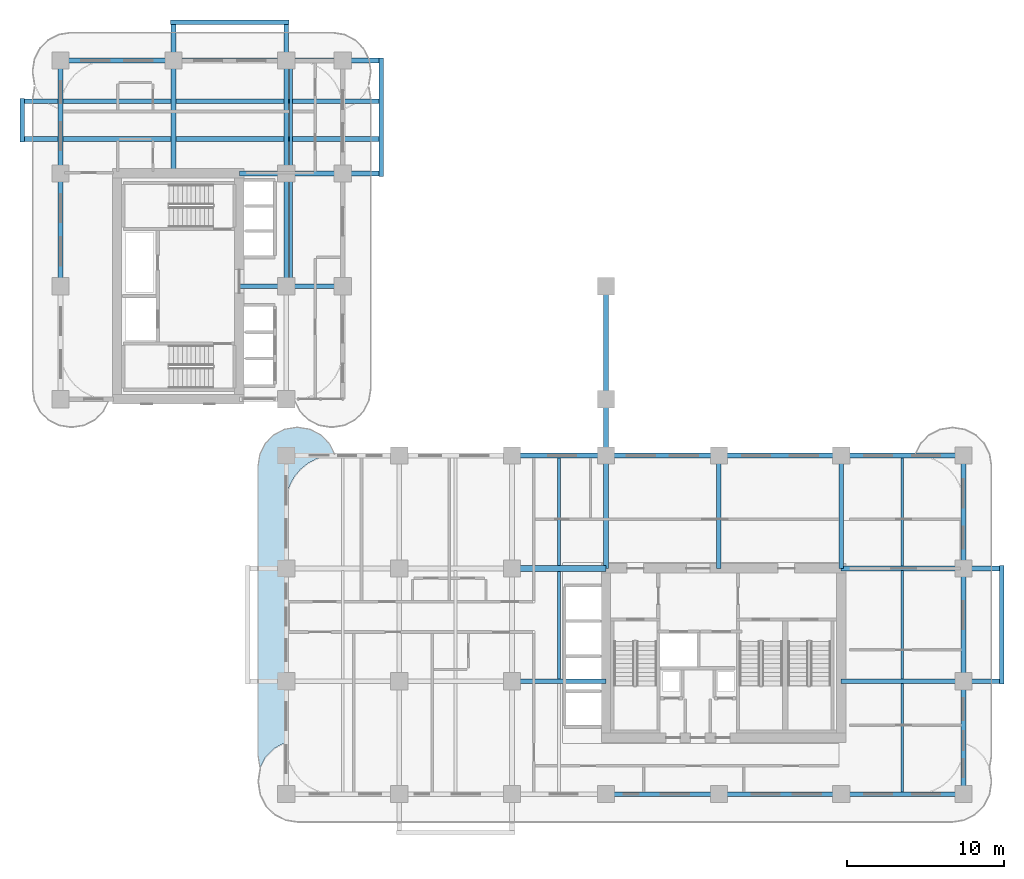
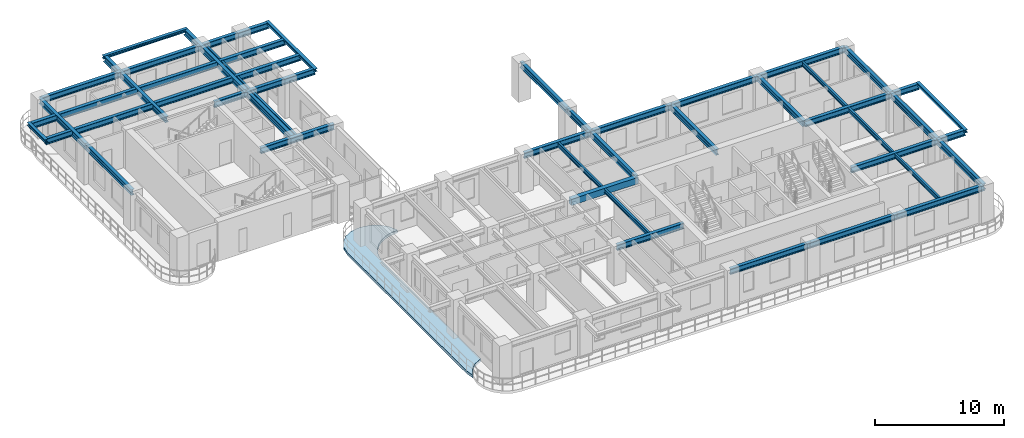
# One storey, part 3 of 18: 41 beams, 1 slab.
"""IFC4 building model written with IfcOpenShell, lengths in metres."""

import ifcopenshell
import ifcopenshell.guid

model = None  # the IFC model being written
_history = None  # IfcOwnerHistory: only IFC2X3 demands one
_inside = {}  # id of a spatial element -> (the spatial element, [elements in it])
_under = {}  # id of a project, library or spatial element -> (it, [spatial elements below it])
_declared = {}  # id of a project -> (the project, [libraries it declares])
_typed = {}  # id of a type object -> (the type object, [elements of that type])
_made_of = {}  # id of a material, layer set ... -> (it, [elements and type objects made of it])


def new_model(schema):
    """Start an empty IFC model of exactly this schema.

    Asked for "IFC4X3", IfcOpenShell would pick the latest addendum, in which some entities
    have other attributes; the version numbers below select the first issue.
    IFC2X3 requires an IfcOwnerHistory on every rooted entity: one is made here for all.
    """
    global model, _history
    if schema == "IFC4X3":
        model = ifcopenshell.file(schema_version=(4, 3, 0, 0))
    else:
        model = ifcopenshell.file(schema=schema)
    _inside.clear()
    _under.clear()
    _declared.clear()
    _typed.clear()
    _made_of.clear()
    _history = None
    if model.schema == "IFC2X3":
        org = make("IfcOrganization", Name="unknown")
        user = make(
            "IfcPersonAndOrganization",
            ThePerson=make("IfcPerson", FamilyName="unknown"),
            TheOrganization=org,
        )
        app = make(
            "IfcApplication",
            ApplicationDeveloper=org,
            Version="unknown",
            ApplicationFullName="unknown",
            ApplicationIdentifier="unknown",
        )
        _history = make(
            "IfcOwnerHistory",
            OwningUser=user,
            OwningApplication=app,
            ChangeAction="ADDED",
            CreationDate=0,
        )
    return model


def make(cls, **values):
    """One entity of the class cls with the attributes given. An attribute that is None is left unset."""
    return model.create_entity(
        cls, **{name: value for name, value in values.items() if value is not None}
    )


def rooted(cls, **values):
    """An entity with a GlobalId (a new one), such as an element, a storey or a relation."""
    return make(cls, GlobalId=ifcopenshell.guid.new(), OwnerHistory=_history, **values)


def si_unit(unit_type, name, prefix=None):
    """IfcSIUnit, for example si_unit("LENGTHUNIT", "METRE", prefix="MILLI")."""
    return make("IfcSIUnit", UnitType=unit_type, Prefix=prefix, Name=name)


def derived_unit(unit_type, elements):
    """IfcDerivedUnit: a product of units, each with its exponent."""
    return make(
        "IfcDerivedUnit",
        Elements=[
            make("IfcDerivedUnitElement", Unit=unit, Exponent=power)
            for unit, power in elements
        ],
        UnitType=unit_type,
    )


def assignment(units):
    """IfcUnitAssignment: the units of a project."""
    return None if units is None else make("IfcUnitAssignment", Units=units)


def point(xyz):
    """IfcCartesianPoint."""
    return None if xyz is None else make("IfcCartesianPoint", Coordinates=xyz)


def direction(xyz):
    """IfcDirection."""
    return None if xyz is None else make("IfcDirection", DirectionRatios=xyz)


def frame(location, z_axis=None, x_axis=None):
    """IfcAxis2Placement3D, a coordinate frame: its origin and axes. An axis left out is left unset."""
    return make(
        "IfcAxis2Placement3D",
        Location=point(location),
        Axis=direction(z_axis),
        RefDirection=direction(x_axis),
    )


def frame_2d(location, x_axis=None):
    """IfcAxis2Placement2D, a coordinate frame in the plane: its origin and x axis."""
    return make(
        "IfcAxis2Placement2D", Location=point(location), RefDirection=direction(x_axis)
    )


def origin():
    """The frame at (0, 0, 0) with its axes left unset."""
    return frame((0.0, 0.0, 0.0))


def origin_2d():
    """The frame at (0, 0) in the plane with its x axis left unset."""
    return frame_2d((0.0, 0.0))


def place(relative_to, where):
    """IfcLocalPlacement: puts the frame where relative to a parent placement (None: the world)."""
    return make(
        "IfcLocalPlacement", PlacementRelTo=relative_to, RelativePlacement=where
    )


def context(
    kind, dimensions, precision=None, world=None, true_north=None, identifier=None
):
    """IfcGeometricRepresentationContext, for example the 3D "Model" context."""
    return make(
        "IfcGeometricRepresentationContext",
        ContextIdentifier=identifier,
        ContextType=kind,
        CoordinateSpaceDimension=dimensions,
        Precision=precision,
        WorldCoordinateSystem=world,
        TrueNorth=true_north,
    )


def subcontext(parent, identifier, kind, view, scale=None):
    """IfcGeometricRepresentationSubContext, for example "Body" below "Model"."""
    return make(
        "IfcGeometricRepresentationSubContext",
        ContextIdentifier=identifier,
        ContextType=kind,
        ParentContext=parent,
        TargetScale=scale,
        TargetView=view,
    )


def project(units=None, contexts=None):
    """IfcProject with its units and contexts."""
    return rooted(
        "IfcProject",
        Name="project",
        RepresentationContexts=contexts,
        UnitsInContext=assignment(units),
    )


def spatial(cls, under=None, at=None, **own):
    """A site, building, storey or space (cls), placed at a placement, below another one or the project."""
    s = rooted(cls, ObjectPlacement=at, **own)
    if under is not None:
        _under.setdefault(under.id(), (under, []))[1].append(s)
    return s


def polyline(points):
    """IfcPolyline through the points."""
    return make("IfcPolyline", Points=[point(p) for p in points])


def profile(cls, at=None, kind="AREA", **sizes):
    """A parametric profile (cls). Its sizes go by their IFC names, for example OverallWidth=200.0."""
    return make(cls, ProfileType=kind, Position=at, **sizes)


def rectangle(**sizes):
    """IfcRectangleProfileDef."""
    return profile("IfcRectangleProfileDef", **sizes)


def i_section(**sizes):
    """IfcIShapeProfileDef."""
    return profile("IfcIShapeProfileDef", **sizes)


def outline(outer, holes=None, kind="AREA"):
    """IfcArbitraryClosedProfileDef: a profile drawn as a closed curve; with holes, ...WithVoids."""
    if holes is None:
        return make("IfcArbitraryClosedProfileDef", ProfileType=kind, OuterCurve=outer)
    return make(
        "IfcArbitraryProfileDefWithVoids",
        ProfileType=kind,
        OuterCurve=outer,
        InnerCurves=holes,
    )


def extrude(swept, where, along, depth):
    """IfcExtrudedAreaSolid: the profile swept, set in the frame where, extruded along a direction by depth."""
    return make(
        "IfcExtrudedAreaSolid",
        SweptArea=swept,
        Position=where,
        ExtrudedDirection=direction(along),
        Depth=depth,
    )


def shape(context_of_items, identifier, shape_type, items):
    """IfcShapeRepresentation: the items that make up one representation, for example the "Body"."""
    return make(
        "IfcShapeRepresentation",
        ContextOfItems=context_of_items,
        RepresentationIdentifier=identifier,
        RepresentationType=shape_type,
        Items=items,
    )


def source(mapping_origin, context_of_items, identifier, shape_type, items):
    """IfcRepresentationMap: a shape defined once, which mapped items show again and again."""
    return make(
        "IfcRepresentationMap",
        MappingOrigin=mapping_origin,
        MappedRepresentation=shape(context_of_items, identifier, shape_type, items),
    )


def transform(
    local_origin,
    x_axis=None,
    y_axis=None,
    z_axis=None,
    scale=None,
    scale2=None,
    scale3=None,
    uniform=True,
):
    """IfcCartesianTransformationOperator3D, or its non-uniform kind. x_axis, y_axis, z_axis: its Axis1, 2, 3."""
    if uniform:
        return make(
            "IfcCartesianTransformationOperator3D",
            Axis1=direction(x_axis),
            Axis2=direction(y_axis),
            LocalOrigin=point(local_origin),
            Scale=scale,
            Axis3=direction(z_axis),
        )
    return make(
        "IfcCartesianTransformationOperator3DnonUniform",
        Axis1=direction(x_axis),
        Axis2=direction(y_axis),
        LocalOrigin=point(local_origin),
        Scale=scale,
        Axis3=direction(z_axis),
        Scale2=scale2,
        Scale3=scale3,
    )


def mapped(mapping_source, mapping_target):
    """IfcMappedItem: shows the shape of a source again, moved by a transform."""
    return make(
        "IfcMappedItem", MappingSource=mapping_source, MappingTarget=mapping_target
    )


def material(Name=None, Category=None):
    """IfcMaterial."""
    return make("IfcMaterial", Name=Name, Category=Category)


def layer(
    of_material, thickness, ventilated=None, Name=None, Category=None, Priority=None
):
    """IfcMaterialLayer: one layer of a wall or slab, of a material (None: an air gap)."""
    return make(
        "IfcMaterialLayer",
        Material=of_material,
        LayerThickness=thickness,
        IsVentilated=ventilated,
        Name=Name,
        Category=Category,
        Priority=Priority,
    )


def layer_set(layers, Name=None):
    """IfcMaterialLayerSet."""
    return make("IfcMaterialLayerSet", MaterialLayers=layers, LayerSetName=Name)


def material_profile(
    of_material, cross_section, Name=None, Category=None, Priority=None
):
    """IfcMaterialProfile: a cross section and its material."""
    return make(
        "IfcMaterialProfile",
        Name=Name,
        Material=of_material,
        Profile=cross_section,
        Priority=Priority,
        Category=Category,
    )


def profile_set(profiles, Name=None, composite=None):
    """IfcMaterialProfileSet."""
    return make(
        "IfcMaterialProfileSet",
        Name=Name,
        MaterialProfiles=profiles,
        CompositeProfile=composite,
    )


def made_of(thing, what):
    """Note that an element or type object is made of a material, layer set ...; save() writes the relation."""
    if what is not None:
        _made_of.setdefault(what.id(), (what, []))[1].append(thing)
    return thing


def type_object(cls, material=None, **own):
    """A type object (cls), such as IfcWallType, which elements share."""
    return made_of(rooted(cls, **own), material)


def type_shapes(of_type, sources):
    """Give a type object the sources (RepresentationMaps) that its elements show as mapped items."""
    of_type.RepresentationMaps = sources


def element(
    cls,
    number,
    at=None,
    inside=None,
    cuts=None,
    type_object=None,
    material=None,
    context=None,
    identifier="Body",
    shape_type=None,
    held_by="IfcProductDefinitionShape",
    body=None,
    shapes=None,
    **own,
):
    """One element of the class cls, such as IfcWall. Its Tag is "e" and its number.

    at: its placement. inside: the storey or other place that contains it. cuts: it is an
    opening in that element (IfcRelVoidsElement). A single representation is given by context,
    identifier, shape_type and body (its items); several are given by shapes. held_by: the class
    of the entity that holds the representations. save() writes the other relations.
    """
    e = rooted(cls, Tag="e%d" % number, ObjectPlacement=at, **own)
    if body is not None:
        shapes = [shape(context, identifier, shape_type, body)]
    if shapes is not None:
        e.Representation = make(held_by, Representations=shapes)
    if inside is not None:
        _inside.setdefault(inside.id(), (inside, []))[1].append(e)
    if cuts is not None:
        rooted(
            "IfcRelVoidsElement", RelatingBuildingElement=cuts, RelatedOpeningElement=e
        )
    if type_object is not None:
        _typed.setdefault(type_object.id(), (type_object, []))[1].append(e)
    return made_of(e, material)


def aggregate(whole, parts):
    """IfcRelAggregates: a whole, such as a stair, and the parts it consists of."""
    return rooted("IfcRelAggregates", RelatingObject=whole, RelatedObjects=parts)


def save(model, path):
    """Write the relations noted so far, then the file.

    IfcRelAggregates (storeys below a building ...), IfcRelContainedInSpatialStructure (elements
    in a storey), IfcRelDefinesByType, IfcRelAssociatesMaterial and IfcRelDeclares: one each for
    every whole, place, type object, material and project.
    """
    for whole, parts in _under.values():
        aggregate(whole, parts)
    for where, things in _inside.values():
        rooted(
            "IfcRelContainedInSpatialStructure",
            RelatedElements=things,
            RelatingStructure=where,
        )
    for kind, things in _typed.values():
        rooted("IfcRelDefinesByType", RelatedObjects=things, RelatingType=kind)
    for what, things in _made_of.values():
        rooted("IfcRelAssociatesMaterial", RelatedObjects=things, RelatingMaterial=what)
    for by, libraries in _declared.values():
        rooted("IfcRelDeclares", RelatingContext=by, RelatedDefinitions=libraries)
    model.write(path)


model = new_model("IFC4")

# Units and contexts
model_context = context("Model", 3, precision=1e-05, world=origin(), true_north=direction((0.0, 1.0)))
body_context = subcontext(model_context, "Body", "Model", "MODEL_VIEW")
ifc_project = project(units=[si_unit("LENGTHUNIT", "METRE"), si_unit("AREAUNIT", "SQUARE_METRE"), si_unit("VOLUMEUNIT", "CUBIC_METRE"), si_unit("PLANEANGLEUNIT", "RADIAN"), si_unit("MASSUNIT", "GRAM", prefix="KILO"), si_unit("THERMODYNAMICTEMPERATUREUNIT", "KELVIN"), si_unit("POWERUNIT", "WATT"), derived_unit("THERMALTRANSMITTANCEUNIT", [(si_unit("POWERUNIT", "WATT"), 1), (si_unit("AREAUNIT", "SQUARE_METRE"), -1), (si_unit("THERMODYNAMICTEMPERATUREUNIT", "KELVIN"), -1)])], contexts=[model_context])

# Site, building, storey
site_placement = place(None, origin())
site = spatial("IfcSite", under=ifc_project, at=site_placement, CompositionType="ELEMENT")
building_placement = place(site_placement, origin())
building = spatial("IfcBuilding", under=site, at=building_placement, Name="Zahravan Archway Hotel and Residences", CompositionType="ELEMENT")
storey_placement = place(building_placement, frame((0.0, 0.0, 50.89990234375)))
storey = spatial("IfcBuildingStorey", under=building, at=storey_placement, Name="L11", CompositionType="ELEMENT", Elevation=50.89990234375)

# Beams
ifc_material_1 = material(Name="Structural Steel S355JR", Category="steel")
ifc_material_profile_1 = material_profile(ifc_material_1, i_section(OverallWidth=0.280029296875, OverallDepth=0.280029296875, WebThickness=0.010498046875, FlangeThickness=0.01806640625, FilletRadius=0.02392578125, at=origin_2d()), Name="HEB 280", Category="steel")
ifc_profile_set_1 = profile_set([ifc_material_profile_1], Name="Structural Steel S355JR")
beam_type_1 = type_object("IfcBeamType", Name="BM-SPN-HEB280", PredefinedType="SPANDREL", material=ifc_profile_set_1)
shared_shape_1 = source(origin(), body_context, "Body", "SweptSolid", [
    extrude(i_section(OverallWidth=0.280029296875, OverallDepth=0.280029296875, WebThickness=0.010498046875, FlangeThickness=0.01806640625, FilletRadius=0.02392578125, at=origin_2d()), origin(), (0.0, 0.0, 1.0), 7.56005859375),
])
type_shapes(beam_type_1, [shared_shape_1])
for number, where, z_axis, x_axis, name in (
    (1, (60.050048828125, 7.02001953125, 3.31005859375), (0.0, 1.0, 0.0), (-1.0, 0.0, 0.0), "L12 EA Balcony Edge Spandrel"),
    (2, (20.449951171875, 39.419921875, 3.31005859375), (0.0, 1.0, 0.0), (-1.0, 0.0, 0.0), "L12 EB Balcony Edge Spandrel"),
    (3, (7.02001953125, 49.25, 3.31005859375), (1.0, 0.0, 0.0), (0.0, 1.0, 0.0), "L12 NB Balcony Edge Spandrel"),
):
    element("IfcBeam", number, at=place(storey_placement, frame(where, z_axis=z_axis, x_axis=x_axis)), inside=storey, type_object=beam_type_1, Name=name, PredefinedType="SPANDREL", context=body_context, shape_type="MappedRepresentation", body=[
        mapped(shared_shape_1, transform((0.0, 0.0, 0.0), scale=1.0)),
    ])
shared_shape_2 = source(origin(), body_context, "Body", "SweptSolid", [
    extrude(i_section(OverallWidth=0.280029296875, OverallDepth=0.280029296875, WebThickness=0.010498046875, FlangeThickness=0.01806640625, FilletRadius=0.02392578125, at=origin_2d()), origin(), (0.0, 0.0, 1.0), 2.759765625),
])
beam_1_placement = place(storey_placement, frame((-2.449951171875, 41.6201171875, 3.31005859375), z_axis=(0.0, 1.0, 0.0), x_axis=(-1.0, 0.0, 0.0)))
element("IfcBeam", 4, at=beam_1_placement, inside=storey, type_object=beam_type_1, Name="L12 WB Balcony Edge Spandrel", PredefinedType="SPANDREL", context=body_context, shape_type="MappedRepresentation", body=[
    mapped(shared_shape_2, transform((0.0, 0.0, 0.0), scale=1.0)),
])
ifc_material_2 = material(Name="Concrete C60/75", Category="concrete")
ifc_material_profile_2 = material_profile(ifc_material_2, rectangle(XDim=0.39990234375, YDim=0.60009765625, at=origin_2d()), Name="RC-LNT-400x600", Category="concrete")
ifc_profile_set_2 = profile_set([ifc_material_profile_2], Name="Concrete C60/75")
beam_type_2 = type_object("IfcBeamType", Name="LNT-RC-400x600", PredefinedType="LINTEL", material=ifc_profile_set_2)
shared_shape_3 = source(origin(), body_context, "Body", "SweptSolid", [
    extrude(rectangle(XDim=0.39990234375, YDim=0.60009765625, at=origin_2d()), origin(), (0.0, 0.0, 1.0), 6.0),
])
type_shapes(beam_type_2, [shared_shape_3])
beam_2_placement = place(storey_placement, frame((28.800048828125, 14.39990234375, 3.150146484375), z_axis=(1.0, 0.0, 0.0), x_axis=(0.0, 1.0, 0.0)))
element("IfcBeam", 5, at=beam_2_placement, inside=storey, type_object=beam_type_2, Name="L11 Core A Coupling Lintel Beam", PredefinedType="LINTEL", context=body_context, shape_type="MappedRepresentation", body=[
    mapped(shared_shape_3, transform((0.0, 0.0, 0.0), scale=1.0)),
])
ifc_material_profile_3 = material_profile(ifc_material_1, i_section(OverallWidth=0.300048828125, OverallDepth=0.550048828125, WebThickness=0.014892578125, FlangeThickness=0.029052734375, FilletRadius=0.027099609375, at=origin_2d()), Name="HEB 550", Category="steel")
ifc_profile_set_3 = profile_set([ifc_material_profile_3], Name="Structural Steel S355JR")
beam_type_3 = type_object("IfcBeamType", Name="BM-PRI-HEB550", PredefinedType="BEAM", material=ifc_profile_set_3)
shared_shape_4 = source(origin(), body_context, "Body", "SweptSolid", [
    extrude(i_section(OverallWidth=0.300048828125, OverallDepth=0.550048828125, WebThickness=0.014892578125, FlangeThickness=0.029052734375, FilletRadius=0.027099609375, at=origin_2d()), origin(), (0.0, 0.0, 1.0), 7.2001953125),
])
type_shapes(beam_type_3, [shared_shape_4])
for number, where, z_axis, x_axis, name in (
    (6, (0.0, 32.39990234375, 3.175048828125), (0.0, 1.0, 0.0), (-1.0, 0.0, 0.0), "L11 Primary Girder NS-28"),
    (7, (14.39990234375, 32.39990234375, 3.175048828125), (0.0, 1.0, 0.0), (-1.0, 0.0, 0.0), "L11 Primary Girder NS-35"),
    (8, (34.800048828125, 14.39990234375, 3.175048828125), (0.0, 1.0, 0.0), (-1.0, 0.0, 0.0), "L11 Primary Girder NS-43"),
    (9, (42.0, 14.39990234375, 3.175048828125), (0.0, 1.0, 0.0), (-1.0, 0.0, 0.0), "L11 Primary Girder NS-46"),
    (10, (49.800048828125, 14.39990234375, 3.175048828125), (0.0, 1.0, 0.0), (-1.0, 0.0, 0.0), "L11 Primary Girder NS-47"),
    (11, (57.60009765625, 14.39990234375, 3.175048828125), (0.0, 1.0, 0.0), (-1.0, 0.0, 0.0), "L11 Primary Girder NS-50"),
):
    element("IfcBeam", number, at=place(storey_placement, frame(where, z_axis=z_axis, x_axis=x_axis)), inside=storey, type_object=beam_type_3, Name=name, PredefinedType="BEAM", context=body_context, shape_type="MappedRepresentation", body=[
        mapped(shared_shape_4, transform((0.0, 0.0, 0.0), scale=1.0)),
    ])
shared_shape_5 = source(origin(), body_context, "Body", "SweptSolid", [
    extrude(i_section(OverallWidth=0.300048828125, OverallDepth=0.550048828125, WebThickness=0.014892578125, FlangeThickness=0.029052734375, FilletRadius=0.027099609375, at=origin_2d()), origin(), (0.0, 0.0, 1.0), 7.199951171875),
])
for number, where, z_axis, x_axis, name in (
    (12, (34.800048828125, 0.0, 3.175048828125), (1.0, 0.0, 0.0), (0.0, 1.0, 0.0), "L11 Primary Girder EW-04"),
    (13, (34.800048828125, 21.60009765625, 3.175048828125), (1.0, 0.0, 0.0), (0.0, 1.0, 0.0), "L11 Primary Girder EW-17"),
    (14, (0.0, 46.800048828125, 3.175048828125), (1.0, 0.0, 0.0), (0.0, 1.0, 0.0), "L11 Primary Girder EW-23"),
    (15, (0.0, 39.60009765625, 3.175048828125), (0.0, 1.0, 0.0), (-1.0, 0.0, 0.0), "L11 Primary Girder NS-29"),
    (16, (34.800048828125, 25.199951171875, 3.175048828125), (0.0, 1.0, 0.0), (-1.0, 0.0, 0.0), "L11 Primary Girder NS-45"),
    (17, (57.60009765625, 0.0, 3.175048828125), (0.0, 1.0, 0.0), (-1.0, 0.0, 0.0), "L11 Primary Girder NS-48"),
    (18, (57.60009765625, 7.199951171875, 3.175048828125), (0.0, 1.0, 0.0), (-1.0, 0.0, 0.0), "L11 Primary Girder NS-49"),
):
    element("IfcBeam", number, at=place(storey_placement, frame(where, z_axis=z_axis, x_axis=x_axis)), inside=storey, type_object=beam_type_3, Name=name, PredefinedType="BEAM", context=body_context, shape_type="MappedRepresentation", body=[
        mapped(shared_shape_5, transform((0.0, 0.0, 0.0), scale=1.0)),
    ])
shared_shape_6 = source(origin(), body_context, "Body", "SweptSolid", [
    extrude(i_section(OverallWidth=0.300048828125, OverallDepth=0.550048828125, WebThickness=0.014892578125, FlangeThickness=0.029052734375, FilletRadius=0.027099609375, at=origin_2d()), origin(), (0.0, 0.0, 1.0), 6.0),
])
for number, where, z_axis, x_axis, name in (
    (19, (28.800048828125, 7.199951171875, 3.175048828125), (1.0, 0.0, 0.0), (0.0, 1.0, 0.0), "L11 Primary Girder EW-09"),
    (20, (28.800048828125, 21.60009765625, 3.175048828125), (1.0, 0.0, 0.0), (0.0, 1.0, 0.0), "L11 Primary Girder EW-16"),
):
    element("IfcBeam", number, at=place(storey_placement, frame(where, z_axis=z_axis, x_axis=x_axis)), inside=storey, type_object=beam_type_3, Name=name, PredefinedType="BEAM", context=body_context, shape_type="MappedRepresentation", body=[
        mapped(shared_shape_6, transform((0.0, 0.0, 0.0), scale=1.0)),
    ])
shared_shape_7 = source(origin(), body_context, "Body", "SweptSolid", [
    extrude(i_section(OverallWidth=0.300048828125, OverallDepth=0.550048828125, WebThickness=0.014892578125, FlangeThickness=0.029052734375, FilletRadius=0.027099609375, at=origin_2d()), origin(), (0.0, 0.0, 1.0), 7.800048828125),
])
for number, where, z_axis, x_axis, name in (
    (21, (42.0, 0.0, 3.175048828125), (1.0, 0.0, 0.0), (0.0, 1.0, 0.0), "L11 Primary Girder EW-05"),
    (22, (49.800048828125, 0.0, 3.175048828125), (1.0, 0.0, 0.0), (0.0, 1.0, 0.0), "L11 Primary Girder EW-06"),
    (23, (42.0, 21.60009765625, 3.175048828125), (1.0, 0.0, 0.0), (0.0, 1.0, 0.0), "L11 Primary Girder EW-18"),
    (24, (49.800048828125, 21.60009765625, 3.175048828125), (1.0, 0.0, 0.0), (0.0, 1.0, 0.0), "L11 Primary Girder EW-19"),
):
    element("IfcBeam", number, at=place(storey_placement, frame(where, z_axis=z_axis, x_axis=x_axis)), inside=storey, type_object=beam_type_3, Name=name, PredefinedType="BEAM", context=body_context, shape_type="MappedRepresentation", body=[
        mapped(shared_shape_7, transform((0.0, 0.0, 0.0), scale=1.0)),
    ])
shared_shape_8 = source(origin(), body_context, "Body", "SweptSolid", [
    extrude(i_section(OverallWidth=0.300048828125, OverallDepth=0.550048828125, WebThickness=0.014892578125, FlangeThickness=0.029052734375, FilletRadius=0.027099609375, at=origin_2d()), origin(), (0.0, 0.0, 1.0), 6.60009765625),
])
beam_3_placement = place(storey_placement, frame((11.39990234375, 32.39990234375, 3.175048828125), z_axis=(1.0, 0.0, 0.0), x_axis=(0.0, 1.0, 0.0)))
element("IfcBeam", 25, at=beam_3_placement, inside=storey, type_object=beam_type_3, Name="L11 Primary Girder EW-21", PredefinedType="BEAM", context=body_context, shape_type="MappedRepresentation", body=[
    mapped(shared_shape_8, transform((0.0, 0.0, 0.0), scale=1.0)),
])
shared_shape_9 = source(origin(), body_context, "Body", "SweptSolid", [
    extrude(i_section(OverallWidth=0.300048828125, OverallDepth=0.550048828125, WebThickness=0.014892578125, FlangeThickness=0.029052734375, FilletRadius=0.027099609375, at=origin_2d()), origin(), (0.0, 0.0, 1.0), 3.599853515625),
])
beam_4_placement = place(storey_placement, frame((34.800048828125, 21.60009765625, 3.175048828125), z_axis=(0.0, 1.0, 0.0), x_axis=(-1.0, 0.0, 0.0)))
element("IfcBeam", 26, at=beam_4_placement, inside=storey, type_object=beam_type_3, Name="L11 Primary Girder NS-44", PredefinedType="BEAM", context=body_context, shape_type="MappedRepresentation", body=[
    mapped(shared_shape_9, transform((0.0, 0.0, 0.0), scale=1.0)),
])
ifc_material_profile_4 = material_profile(ifc_material_1, i_section(OverallWidth=0.179931640625, OverallDepth=0.39990234375, WebThickness=0.008544921875, FlangeThickness=0.013427734375, FilletRadius=0.02099609375, at=origin_2d()), Name="IPE 400", Category="steel")
ifc_profile_set_4 = profile_set([ifc_material_profile_4], Name="Structural Steel S355JR")
beam_type_4 = type_object("IfcBeamType", Name="BM-JST-IPE400", PredefinedType="JOIST", material=ifc_profile_set_4)
shared_shape_10 = source(origin(), body_context, "Body", "SweptSolid", [
    extrude(i_section(OverallWidth=0.179931640625, OverallDepth=0.39990234375, WebThickness=0.008544921875, FlangeThickness=0.013427734375, FilletRadius=0.02099609375, at=origin_2d()), origin(), (0.0, 0.0, 1.0), 6.904052734375),
])
type_shapes(beam_type_4, [shared_shape_10])
for number, where, z_axis, x_axis, name in (
    (27, (53.699951171875, 0.14794921875, 3.25), (0.0, 1.0, 0.0), (-1.0, 0.0, 0.0), "L11 Composite Floor Joist 04"),
    (28, (53.699951171875, 7.347900390625, 3.25), (0.0, 1.0, 0.0), (-1.0, 0.0, 0.0), "L11 Composite Floor Joist 08"),
    (29, (14.699951171875, 39.748046875, 3.25), (0.0, 1.0, 0.0), (-1.0, 0.0, 0.0), "L11 Composite Floor Joist 14"),
):
    element("IfcBeam", number, at=place(storey_placement, frame(where, z_axis=z_axis, x_axis=x_axis)), inside=storey, type_object=beam_type_4, Name=name, PredefinedType="JOIST", context=body_context, shape_type="MappedRepresentation", body=[
        mapped(shared_shape_10, transform((0.0, 0.0, 0.0), scale=1.0)),
    ])
shared_shape_11 = source(origin(), body_context, "Body", "SweptSolid", [
    extrude(i_section(OverallWidth=0.179931640625, OverallDepth=0.39990234375, WebThickness=0.008544921875, FlangeThickness=0.013427734375, FilletRadius=0.02099609375, at=origin_2d()), origin(), (0.0, 0.0, 1.0), 6.85400390625),
])
for number, where, z_axis, x_axis, name in (
    (30, (31.800048828125, 7.347900390625, 3.25), (0.0, 1.0, 0.0), (-1.0, 0.0, 0.0), "L11 Composite Floor Joist 07"),
    (31, (31.800048828125, 14.597900390625, 3.25), (0.0, 1.0, 0.0), (-1.0, 0.0, 0.0), "L11 Composite Floor Joist 09"),
):
    element("IfcBeam", number, at=place(storey_placement, frame(where, z_axis=z_axis, x_axis=x_axis)), inside=storey, type_object=beam_type_4, Name=name, PredefinedType="JOIST", context=body_context, shape_type="MappedRepresentation", body=[
        mapped(shared_shape_11, transform((0.0, 0.0, 0.0), scale=1.0)),
    ])
shared_shape_12 = source(origin(), body_context, "Body", "SweptSolid", [
    extrude(i_section(OverallWidth=0.179931640625, OverallDepth=0.39990234375, WebThickness=0.008544921875, FlangeThickness=0.013427734375, FilletRadius=0.02099609375, at=origin_2d()), origin(), (0.0, 0.0, 1.0), 6.90380859375),
])
for number, where, z_axis, x_axis, name in (
    (32, (53.699951171875, 14.548095703125, 3.25), (0.0, 1.0, 0.0), (-1.0, 0.0, 0.0), "L11 Composite Floor Joist 12"),
    (33, (14.699951171875, 32.548095703125, 3.25), (0.0, 1.0, 0.0), (-1.0, 0.0, 0.0), "L11 Composite Floor Joist 13"),
):
    element("IfcBeam", number, at=place(storey_placement, frame(where, z_axis=z_axis, x_axis=x_axis)), inside=storey, type_object=beam_type_4, Name=name, PredefinedType="JOIST", context=body_context, shape_type="MappedRepresentation", body=[
        mapped(shared_shape_12, transform((0.0, 0.0, 0.0), scale=1.0)),
    ])
shared_shape_13 = source(origin(), body_context, "Body", "SweptSolid", [
    extrude(i_section(OverallWidth=0.300048828125, OverallDepth=0.550048828125, WebThickness=0.014892578125, FlangeThickness=0.029052734375, FilletRadius=0.027099609375, at=origin_2d()), origin(), (0.0, 0.0, 1.0), 10.25),
])
for number, where, z_axis, x_axis, name in (
    (34, (49.800048828125, 7.199951171875, 3.175048828125), (1.0, 0.0, 0.0), (0.0, 1.0, 0.0), "L11 Primary Girder EW-10"),
    (35, (49.800048828125, 14.39990234375, 3.175048828125), (1.0, 0.0, 0.0), (0.0, 1.0, 0.0), "L11 Primary Girder EW-13"),
):
    element("IfcBeam", number, at=place(storey_placement, frame(where, z_axis=z_axis, x_axis=x_axis)), inside=storey, type_object=beam_type_3, Name=name, PredefinedType="BEAM", context=body_context, shape_type="MappedRepresentation", body=[
        mapped(shared_shape_13, transform((0.0, 0.0, 0.0), scale=1.0)),
    ])
shared_shape_14 = source(origin(), body_context, "Body", "SweptSolid", [
    extrude(i_section(OverallWidth=0.300048828125, OverallDepth=0.550048828125, WebThickness=0.014892578125, FlangeThickness=0.029052734375, FilletRadius=0.027099609375, at=origin_2d()), origin(), (0.0, 0.0, 1.0), 9.050048828125),
])
beam_5_placement = place(storey_placement, frame((11.39990234375, 39.60009765625, 3.175048828125), z_axis=(1.0, 0.0, 0.0), x_axis=(0.0, 1.0, 0.0)))
element("IfcBeam", 36, at=beam_5_placement, inside=storey, type_object=beam_type_3, Name="L11 Primary Girder EW-22", PredefinedType="BEAM", context=body_context, shape_type="MappedRepresentation", body=[
    mapped(shared_shape_14, transform((0.0, 0.0, 0.0), scale=1.0)),
])
shared_shape_15 = source(origin(), body_context, "Body", "SweptSolid", [
    extrude(i_section(OverallWidth=0.300048828125, OverallDepth=0.550048828125, WebThickness=0.014892578125, FlangeThickness=0.029052734375, FilletRadius=0.027099609375, at=origin_2d()), origin(), (0.0, 0.0, 1.0), 13.25),
])
beam_6_placement = place(storey_placement, frame((7.199951171875, 46.800048828125, 3.175048828125), z_axis=(1.0, 0.0, 0.0), x_axis=(0.0, 1.0, 0.0)))
element("IfcBeam", 37, at=beam_6_placement, inside=storey, type_object=beam_type_3, Name="L11 Primary Girder EW-24", PredefinedType="BEAM", context=body_context, shape_type="MappedRepresentation", body=[
    mapped(shared_shape_15, transform((0.0, 0.0, 0.0), scale=1.0)),
])
shared_shape_16 = source(origin(), body_context, "Body", "SweptSolid", [
    extrude(i_section(OverallWidth=0.300048828125, OverallDepth=0.550048828125, WebThickness=0.014892578125, FlangeThickness=0.029052734375, FilletRadius=0.027099609375, at=origin_2d()), origin(), (0.0, 0.0, 1.0), 22.89990234375),
])
for number, where, z_axis, x_axis, name in (
    (38, (-2.449951171875, 41.800048828125, 3.175048828125), (1.0, 0.0, 0.0), (0.0, 1.0, 0.0), "L11 Primary Girder EW-25"),
    (39, (-2.449951171875, 44.199951171875, 3.175048828125), (1.0, 0.0, 0.0), (0.0, 1.0, 0.0), "L11 Primary Girder EW-26"),
):
    element("IfcBeam", number, at=place(storey_placement, frame(where, z_axis=z_axis, x_axis=x_axis)), inside=storey, type_object=beam_type_3, Name=name, PredefinedType="BEAM", context=body_context, shape_type="MappedRepresentation", body=[
        mapped(shared_shape_16, transform((0.0, 0.0, 0.0), scale=1.0)),
    ])
shared_shape_17 = source(origin(), body_context, "Body", "SweptSolid", [
    extrude(i_section(OverallWidth=0.300048828125, OverallDepth=0.550048828125, WebThickness=0.014892578125, FlangeThickness=0.029052734375, FilletRadius=0.027099609375, at=origin_2d()), origin(), (0.0, 0.0, 1.0), 9.64990234375),
])
for number, where, z_axis, x_axis, name in (
    (40, (7.199951171875, 39.60009765625, 3.175048828125), (0.0, 1.0, 0.0), (-1.0, 0.0, 0.0), "L11 Primary Girder NS-30"),
    (41, (14.39990234375, 39.60009765625, 3.175048828125), (0.0, 1.0, 0.0), (-1.0, 0.0, 0.0), "L11 Primary Girder NS-36"),
):
    element("IfcBeam", number, at=place(storey_placement, frame(where, z_axis=z_axis, x_axis=x_axis)), inside=storey, type_object=beam_type_3, Name=name, PredefinedType="BEAM", context=body_context, shape_type="MappedRepresentation", body=[
        mapped(shared_shape_17, transform((0.0, 0.0, 0.0), scale=1.0)),
    ])

# Slab
ifc_material_3 = material(Name="Concrete C45/55", Category="concrete")
ifc_layer = layer(ifc_material_3, 0.25, Name="Concrete C45/55", Category="concrete")
ifc_layer_set = layer_set([ifc_layer], Name="Concrete C45/55")
slab_type = type_object("IfcSlabType", Name="SLB-BALC-250", PredefinedType="FLOOR", material=ifc_layer_set)
slab_placement = place(storey_placement, frame((0.0, 0.0, -0.25)))
element("IfcSlab", 42, at=slab_placement, inside=storey, type_object=slab_type, Name="L11 Wing A West Rounded Balcony Band", PredefinedType="FLOOR", context=body_context, shape_type="SweptSolid", body=[
    extrude(outline(polyline([(12.719970703125, 1.69287109375), (12.60009765625, 2.449951171875), (12.60009765625, 20.949951171875), (12.719970703125, 21.70703125), (13.06787109375, 22.39013671875), (13.60986328125, 22.93212890625), (14.29296875, 23.280029296875), (15.050048828125, 23.39990234375), (15.14990234375, 23.39990234375), (15.906982421875, 23.280029296875), (16.590087890625, 22.93212890625), (17.132080078125, 22.39013671875), (17.47998046875, 21.70703125), (17.493896484375, 21.619384765625), (16.893310546875, 21.560302734375), (16.891357421875, 21.56005859375), (16.889404296875, 21.5595703125), (16.307861328125, 21.383056640625), (16.305908203125, 21.382568359375), (16.30419921875, 21.381591796875), (15.768310546875, 21.09521484375), (15.7666015625, 21.09423828125), (15.764892578125, 21.093017578125), (15.29541015625, 20.70751953125), (15.2939453125, 20.7060546875), (15.29248046875, 20.70458984375), (14.906982421875, 20.235107421875), (14.90576171875, 20.2333984375), (14.90478515625, 20.231689453125), (14.618408203125, 19.69580078125), (14.617431640625, 19.694091796875), (14.616943359375, 19.692138671875), (14.4404296875, 19.110595703125), (14.43994140625, 19.108642578125), (14.439697265625, 19.106689453125), (14.380126953125, 18.501953125), (14.3798828125, 18.5), (14.3798828125, 3.298095703125), (14.37890625, 3.298095703125), (14.376953125, 3.2978515625), (14.35888671875, 3.294921875), (14.356689453125, 3.29443359375), (14.354736328125, 3.2939453125), (14.352783203125, 3.29296875), (13.64208984375, 2.930908203125), (13.64013671875, 2.9296875), (13.638427734375, 2.928466796875), (13.636962890625, 2.927001953125), (13.072998046875, 2.363037109375), (13.071533203125, 2.361572265625), (13.0703125, 2.35986328125), (13.069091796875, 2.35791015625), (12.72509765625, 1.6826171875), (12.719970703125, 1.69287109375)])), origin(), (0.0, 0.0, 1.0), 0.25),
])

save(model, "model.ifc")
